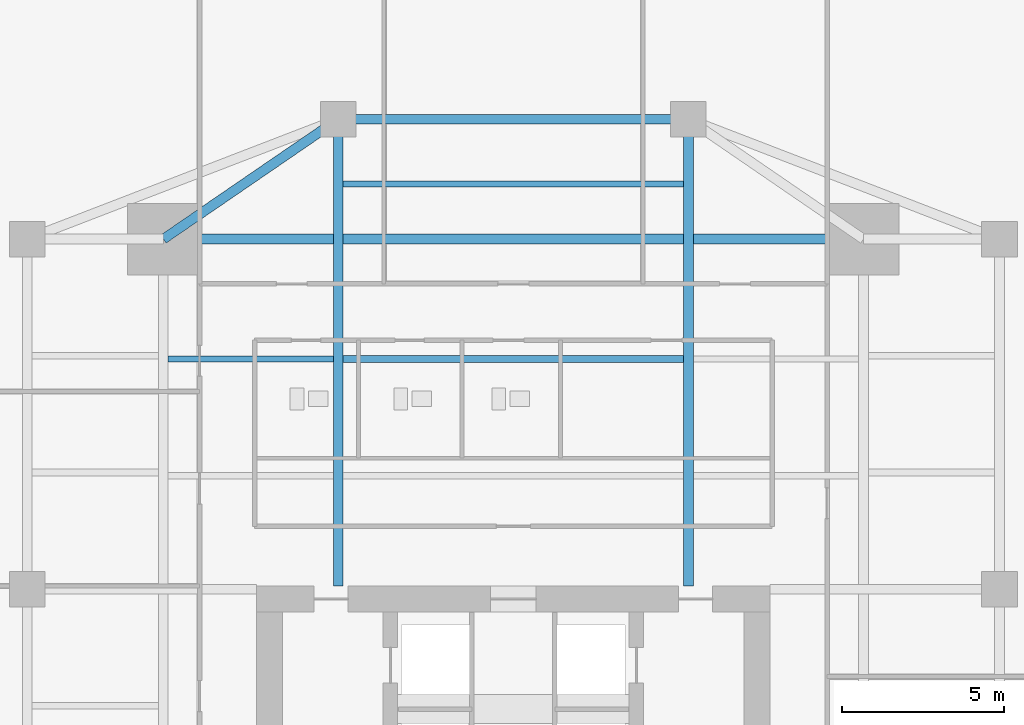
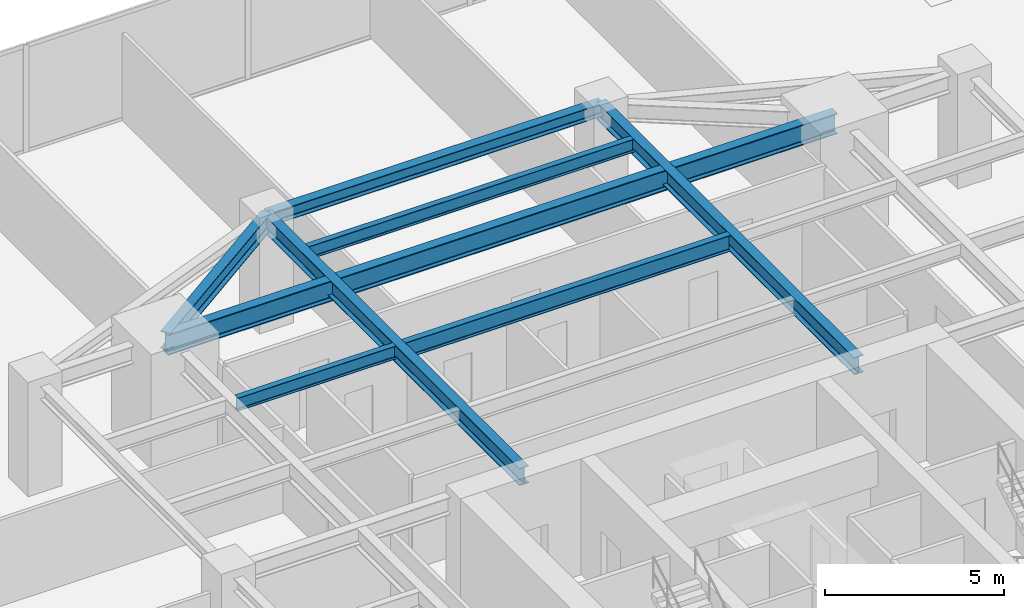
# One storey, part 18 of 30: 8 beams.
"""IFC4 building model written with IfcOpenShell, lengths in metres."""

from ifc_helpers import new_model, si_unit, direction, frame, origin, origin_2d, place, context, subcontext, project, spatial, i_section, extrude, source, transform, mapped, material, material_profile, profile_set, type_object, type_shapes, element, save


model = new_model("IFC4")

# Units and contexts
model_context = context("Model", 3, precision=1e-05, world=origin(), true_north=direction((0.0, 1.0)))
body_context = subcontext(model_context, "Body", "Model", "MODEL_VIEW")
ifc_project = project(units=[si_unit("LENGTHUNIT", "METRE"), si_unit("AREAUNIT", "SQUARE_METRE"), si_unit("VOLUMEUNIT", "CUBIC_METRE"), si_unit("PLANEANGLEUNIT", "RADIAN"), si_unit("MASSUNIT", "GRAM", prefix="KILO")], contexts=[model_context])

# Site, building, storey
site_placement = place(None, origin())
site = spatial("IfcSite", under=ifc_project, at=site_placement, CompositionType="ELEMENT")
building_placement = place(site_placement, origin())
building = spatial("IfcBuilding", under=site, at=building_placement, Name="Krantzveldt Concourse Tower", CompositionType="ELEMENT")
storey_placement = place(building_placement, frame((0.0, 0.0, 25.0)))
storey = spatial("IfcBuildingStorey", under=building, at=storey_placement, Name="L05", CompositionType="ELEMENT", Elevation=25.0)

# Beams
ifc_material_1 = material(Name="Steel S355J2", Category="steel")
ifc_material_profile_1 = material_profile(ifc_material_1, i_section(OverallWidth=0.300048828125, OverallDepth=0.699951171875, WebThickness=0.01708984375, FlangeThickness=0.031982421875, FilletRadius=0.027099609375, at=origin_2d()), Name="Steel S355J2", Category="steel")
ifc_profile_set_1 = profile_set([ifc_material_profile_1], Name="Steel S355J2 - HEB 700")
beam_type_1 = type_object("IfcBeamType", Name="BM-B-HEB700", PredefinedType="BEAM", material=ifc_profile_set_1)
shared_shape_1 = source(origin(), body_context, "Body", "SweptSolid", [
    extrude(i_section(OverallWidth=0.300048828125, OverallDepth=0.699951171875, WebThickness=0.01708984375, FlangeThickness=0.031982421875, FilletRadius=0.027099609375, at=origin_2d()), origin(), (0.0, 0.0, 1.0), 21.60009765625),
])
type_shapes(beam_type_1, [shared_shape_1])
beam_1_placement = place(storey_placement, frame((25.199951171875, 37.5, 3.320068359375), z_axis=(1.0, 0.0, 0.0), x_axis=(0.0, 1.0, 0.0)))
element("IfcBeam", 1, at=beam_1_placement, inside=storey, type_object=beam_type_1, Name="L05 Tower Girder BG-MN", PredefinedType="BEAM", context=body_context, shape_type="MappedRepresentation", body=[
    mapped(shared_shape_1, transform((0.0, 0.0, 0.0), x_axis=(1.0, 0.0, 0.0), y_axis=(0.0, 1.0, 0.0), z_axis=(0.0, 0.0, 1.0), scale=1.0)),
])
ifc_material_2 = material(Name="Steel S355JR", Category="steel")
ifc_material_profile_2 = material_profile(ifc_material_2, i_section(OverallWidth=0.300048828125, OverallDepth=0.590087890625, WebThickness=0.012939453125, FlangeThickness=0.02490234375, FilletRadius=0.027099609375, at=origin_2d()), Name="Steel S355JR", Category="steel")
ifc_profile_set_2 = profile_set([ifc_material_profile_2], Name="Steel S355JR - HEA 600")
beam_type_2 = type_object("IfcBeamType", Name="BM-B-HEA600", PredefinedType="BEAM", material=ifc_profile_set_2)
shared_shape_2 = source(origin(), body_context, "Body", "SweptSolid", [
    extrude(i_section(OverallWidth=0.300048828125, OverallDepth=0.590087890625, WebThickness=0.012939453125, FlangeThickness=0.02490234375, FilletRadius=0.027099609375, at=origin_2d()), origin(), (0.0, 0.0, 1.0), 14.39990234375),
])
for number, where, z_axis, x_axis, name in (
    (2, (30.60009765625, 26.800048828125, 3.375), (0.0, 1.0, 0.0), (-1.0, 0.0, 0.0), "L05 Tower Girder BG-CNW"),
    (3, (41.39990234375, 26.800048828125, 3.375), (0.0, 1.0, 0.0), (-1.0, 0.0, 0.0), "L05 Tower Girder BG-CNE"),
):
    element("IfcBeam", number, at=place(storey_placement, frame(where, z_axis=z_axis, x_axis=x_axis)), inside=storey, type_object=beam_type_2, Name=name, PredefinedType="BEAM", context=body_context, shape_type="MappedRepresentation", body=[
        mapped(shared_shape_2, transform((0.0, 0.0, 0.0), x_axis=(1.0, 0.0, 0.0), y_axis=(0.0, 1.0, 0.0), z_axis=(0.0, 0.0, 1.0), scale=1.0)),
    ])
ifc_material_profile_3 = material_profile(ifc_material_2, i_section(OverallWidth=0.300048828125, OverallDepth=0.43994140625, WebThickness=0.011474609375, FlangeThickness=0.02099609375, FilletRadius=0.027099609375, at=origin_2d()), Name="Steel S355JR", Category="steel")
ifc_profile_set_3 = profile_set([ifc_material_profile_3], Name="Steel S355JR - HEA 450")
beam_type_3 = type_object("IfcBeamType", Name="BM-SP-HEA450", PredefinedType="SPANDREL", material=ifc_profile_set_3)
shared_shape_3 = source(origin(), body_context, "Body", "SweptSolid", [
    extrude(i_section(OverallWidth=0.300048828125, OverallDepth=0.43994140625, WebThickness=0.011474609375, FlangeThickness=0.02099609375, FilletRadius=0.027099609375, at=origin_2d()), origin(), (0.0, 0.0, 1.0), 10.7998046875),
])
type_shapes(beam_type_3, [shared_shape_3])
beam_2_placement = place(storey_placement, frame((30.60009765625, 41.199951171875, 3.449951171875), z_axis=(1.0, 0.0, 0.0), x_axis=(0.0, 1.0, 0.0)))
element("IfcBeam", 4, at=beam_2_placement, inside=storey, type_object=beam_type_3, Name="L05 Tower Girder SP-R04", PredefinedType="SPANDREL", context=body_context, shape_type="MappedRepresentation", body=[
    mapped(shared_shape_3, transform((0.0, 0.0, 0.0), x_axis=(1.0, 0.0, 0.0), y_axis=(0.0, 1.0, 0.0), z_axis=(0.0, 0.0, 1.0), scale=1.0)),
])
shared_shape_4 = source(origin(), body_context, "Body", "SweptSolid", [
    extrude(i_section(OverallWidth=0.300048828125, OverallDepth=0.590087890625, WebThickness=0.012939453125, FlangeThickness=0.02490234375, FilletRadius=0.027099609375, at=origin_2d()), origin(), (0.0, 0.0, 1.0), 6.546142578125),
])
type_shapes(beam_type_2, [shared_shape_2, shared_shape_4])
beam_3_placement = place(storey_placement, frame((25.199951171875, 37.5, 3.375), z_axis=(0.824942999484, 0.565215930068, 0.0), x_axis=(-0.565215930068, 0.824942999484, 0.0)))
element("IfcBeam", 5, at=beam_3_placement, inside=storey, type_object=beam_type_2, Name="L05 Tower Girder BR-RL4", PredefinedType="BEAM", context=body_context, shape_type="MappedRepresentation", body=[
    mapped(shared_shape_4, transform((0.0, 0.0, 0.0), x_axis=(1.0, 0.0, 0.0), y_axis=(0.0, 1.0, 0.0), z_axis=(0.0, 0.0, 1.0), scale=1.0)),
])
ifc_material_profile_4 = material_profile(ifc_material_2, i_section(OverallWidth=0.2099609375, OverallDepth=0.550048828125, WebThickness=0.010986328125, FlangeThickness=0.01708984375, FilletRadius=0.02392578125, at=origin_2d()), Name="Steel S355JR", Category="steel")
ifc_profile_set_4 = profile_set([ifc_material_profile_4], Name="Steel S355JR - IPE 550")
beam_type_4 = type_object("IfcBeamType", Name="BM-J-IPE550", PredefinedType="JOIST", material=ifc_profile_set_4)
shared_shape_5 = source(origin(), body_context, "Body", "SweptSolid", [
    extrude(i_section(OverallWidth=0.2099609375, OverallDepth=0.550048828125, WebThickness=0.010986328125, FlangeThickness=0.01708984375, FilletRadius=0.02392578125, at=origin_2d()), origin(), (0.0, 0.0, 1.0), 10.5),
])
type_shapes(beam_type_4, [shared_shape_5])
beam_4_placement = place(storey_placement, frame((30.75, 33.800048828125, 3.39501953125), z_axis=(1.0, 0.0, 0.0), x_axis=(0.0, 1.0, 0.0)))
element("IfcBeam", 6, at=beam_4_placement, inside=storey, type_object=beam_type_4, Name="L05 Secondary Floor Joist JN-C2", PredefinedType="JOIST", context=body_context, shape_type="MappedRepresentation", body=[
    mapped(shared_shape_5, transform((0.0, 0.0, 0.0), x_axis=(1.0, 0.0, 0.0), y_axis=(0.0, 1.0, 0.0), z_axis=(0.0, 0.0, 1.0), scale=1.0)),
])
ifc_material_profile_5 = material_profile(ifc_material_2, i_section(OverallWidth=0.18994140625, OverallDepth=0.449951171875, WebThickness=0.009521484375, FlangeThickness=0.0146484375, FilletRadius=0.02099609375, at=origin_2d()), Name="Steel S355JR", Category="steel")
ifc_profile_set_5 = profile_set([ifc_material_profile_5], Name="Steel S355JR - IPE 450")
beam_type_5 = type_object("IfcBeamType", Name="BM-J-IPE450", PredefinedType="JOIST", material=ifc_profile_set_5)
shared_shape_6 = source(origin(), body_context, "Body", "SweptSolid", [
    extrude(i_section(OverallWidth=0.18994140625, OverallDepth=0.449951171875, WebThickness=0.009521484375, FlangeThickness=0.0146484375, FilletRadius=0.02099609375, at=origin_2d()), origin(), (0.0, 0.0, 1.0), 10.5),
])
beam_5_placement = place(storey_placement, frame((30.75, 39.199951171875, 3.445068359375), z_axis=(1.0, 0.0, 0.0), x_axis=(0.0, 1.0, 0.0)))
element("IfcBeam", 7, at=beam_5_placement, inside=storey, type_object=beam_type_5, Name="L05 Secondary Floor Joist JN-C3", PredefinedType="JOIST", context=body_context, shape_type="MappedRepresentation", body=[
    mapped(shared_shape_6, transform((0.0, 0.0, 0.0), x_axis=(1.0, 0.0, 0.0), y_axis=(0.0, 1.0, 0.0), z_axis=(0.0, 0.0, 1.0), scale=1.0)),
])
shared_shape_7 = source(origin(), body_context, "Body", "SweptSolid", [
    extrude(i_section(OverallWidth=0.18994140625, OverallDepth=0.449951171875, WebThickness=0.009521484375, FlangeThickness=0.0146484375, FilletRadius=0.02099609375, at=origin_2d()), origin(), (0.0, 0.0, 1.0), 5.099853515625),
])
type_shapes(beam_type_5, [shared_shape_6, shared_shape_7])
beam_6_placement = place(storey_placement, frame((25.35009765625, 33.800048828125, 3.445068359375), z_axis=(1.0, 0.0, 0.0), x_axis=(0.0, 1.0, 0.0)))
element("IfcBeam", 8, at=beam_6_placement, inside=storey, type_object=beam_type_5, Name="L05 Secondary Floor Joist JN-W2", PredefinedType="JOIST", context=body_context, shape_type="MappedRepresentation", body=[
    mapped(shared_shape_7, transform((0.0, 0.0, 0.0), x_axis=(1.0, 0.0, 0.0), y_axis=(0.0, 1.0, 0.0), z_axis=(0.0, 0.0, 1.0), scale=1.0)),
])

save(model, "model.ifc")
